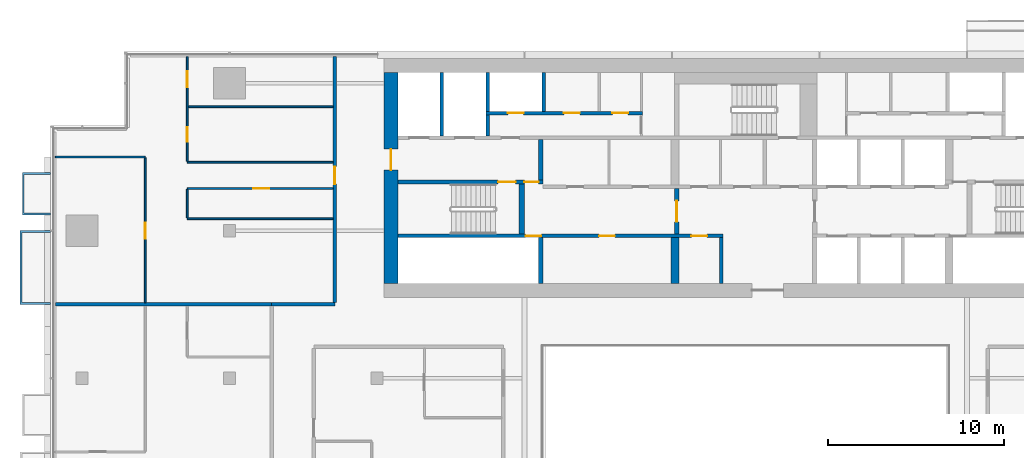
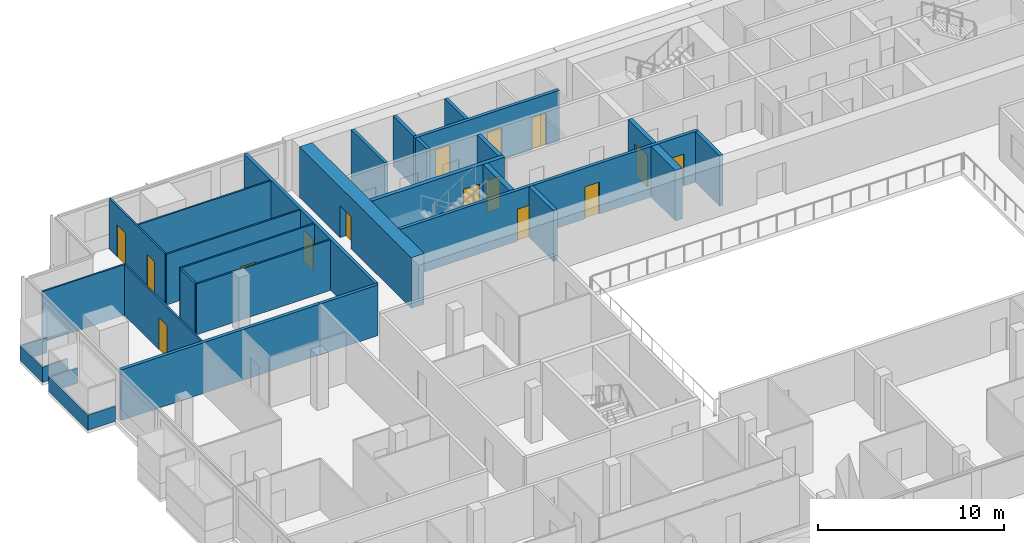
# One storey, part 21 of 31: 27 walls, 15 doors, 15 openings.
"""IFC4 building model written with IfcOpenShell, lengths in metres."""

from ifc_helpers import new_model, si_unit, direction, frame, frame_2d, origin, place, context, subcontext, project, spatial, polyline, rectangle, outline, extrude, material, layer, layer_set, type_object, element, fill, save


model = new_model("IFC4")

# Units and contexts
model_context = context("Model", 3, precision=1e-05, world=origin(), true_north=direction((0.0, 1.0)))
body_context = subcontext(model_context, "Body", "Model", "MODEL_VIEW")
ifc_project = project(units=[si_unit("LENGTHUNIT", "METRE"), si_unit("AREAUNIT", "SQUARE_METRE"), si_unit("VOLUMEUNIT", "CUBIC_METRE"), si_unit("PLANEANGLEUNIT", "RADIAN"), si_unit("MASSUNIT", "GRAM", prefix="KILO")], contexts=[model_context])

# Site, building, storey
site_placement = place(None, origin())
site = spatial("IfcSite", under=ifc_project, at=site_placement, CompositionType="ELEMENT")
building_placement = place(site_placement, origin())
building = spatial("IfcBuilding", under=site, at=building_placement, Name="Saffron Gate Tower", CompositionType="ELEMENT")
storey_placement = place(building_placement, frame((0.0, 0.0, 147.449951171875)))
storey = spatial("IfcBuildingStorey", under=building, at=storey_placement, Name="L35", CompositionType="ELEMENT", Elevation=147.449951171875)

# Wall
ifc_material_1 = material(Name="Gypsum board partition on steel studs", Category="steel")
ifc_layer_1 = layer(ifc_material_1, 0.199951171875)
ifc_layer_set_1 = layer_set([ifc_layer_1], Name="CW10 Core partition 200")
wall_type_1 = type_object("IfcWallType", Name="CW10 Core partition 200", PredefinedType="PARTITIONING", material=ifc_layer_set_1)
wall_1_placement = place(storey_placement, frame((86.199951171875, 62.39990234375, 0.0), z_axis=(0.0, 0.0, 1.0), x_axis=(0.0, 1.0, 0.0)))
element("IfcWall", 1, at=wall_1_placement, inside=storey, type_object=wall_type_1, Name="Wall CW10-L35-7", PredefinedType="PARTITIONING", context=body_context, shape_type="SweptSolid", body=[
    extrude(rectangle(XDim=2.60009765625, YDim=0.199951171875, at=frame_2d((1.300048828125, 0.0))), origin(), (0.0, 0.0, 1.0), 3.320068359375),
])

# Wall, opening, door
ifc_material_2 = material(Name="Concrete C60", Category="concrete")
ifc_layer_2 = layer(ifc_material_2, 0.800048828125)
ifc_layer_set_2 = layer_set([ifc_layer_2], Name="CW13 RC core wall 800 C60")
wall_type_2 = type_object("IfcWallType", Name="CW13 RC core wall 800 C60", PredefinedType="SOLIDWALL", material=ifc_layer_set_2)
wall_2_placement = place(storey_placement, frame((67.39990234375, 62.39990234375, 0.0), z_axis=(0.0, 0.0, 1.0), x_axis=(0.0, 1.0, 0.0)))
wall_2 = element("IfcWall", 2, at=wall_2_placement, inside=storey, type_object=wall_type_2, Name="Wall CW13-L35-3", PredefinedType="SOLIDWALL", context=body_context, shape_type="SweptSolid", body=[
    extrude(rectangle(XDim=12.0, YDim=0.800048828125, at=frame_2d((6.0, 0.0))), origin(), (0.0, 0.0, 1.0), 3.320068359375),
])
opening_1_placement = place(wall_2_placement, frame((6.449951171875, 0.0, 0.0)))
opening_1 = element("IfcOpeningElement", 3, at=opening_1_placement, cuts=wall_2, Name="Opening CR-10", PredefinedType="OPENING", context=body_context, shape_type="SweptSolid", body=[
    extrude(rectangle(XDim=1.199951171875, YDim=2.10009765625, at=frame_2d((0.60009765625, 1.050048828125))), frame((0.0, 0.41015625, 0.0), z_axis=(0.0, -1.0, 0.0), x_axis=(1.0, 0.0, 0.0)), (0.0, 0.0, 1.0), 0.820068359375),
])
ifc_material_3 = material(Name="Steel fire door set", Category="steel")
door_type_1 = type_object("IfcDoorType", Name="CD7 Core entrance door 1200x2100 EI 120", OperationType="NOTDEFINED", PredefinedType="DOOR", material=ifc_material_3)
door_1_placement = place(opening_1_placement, origin())
door_1 = element("IfcDoor", 4, at=door_1_placement, inside=storey, type_object=door_type_1, Name="DOOR CR-10", OperationType="SINGLE_SWING_LEFT", OverallHeight=2.10009765625, OverallWidth=1.199951171875, PredefinedType="DOOR", context=body_context, shape_type="SweptSolid", body=[
    extrude(rectangle(XDim=1.199951171875, YDim=2.10009765625, at=frame_2d((0.60009765625, 1.050048828125))), frame((0.0, 0.02490234375, 0.0), z_axis=(0.0, -1.0, 0.0), x_axis=(1.0, 0.0, 0.0)), (0.0, 0.0, 1.0), 0.050048828125),
])
fill(opening_1, door_1)

# Wall
ifc_layer_3 = layer(ifc_material_2, 0.25)
ifc_layer_set_3 = layer_set([ifc_layer_3], Name="CW14 RC core wall 250 C60")
wall_type_3 = type_object("IfcWallType", Name="CW14 RC core wall 250 C60", PredefinedType="SOLIDWALL", material=ifc_layer_set_3)
wall_3_placement = place(storey_placement, frame((75.925048828125, 62.39990234375, 0.0), z_axis=(0.0, 0.0, 1.0), x_axis=(0.0, 1.0, 0.0)))
element("IfcWall", 5, at=wall_3_placement, inside=storey, type_object=wall_type_3, Name="Wall CW14-L35-5", PredefinedType="SOLIDWALL", context=body_context, shape_type="SweptSolid", body=[
    extrude(rectangle(XDim=2.60009765625, YDim=0.25, at=frame_2d((1.300048828125, 0.0))), origin(), (0.0, 0.0, 1.0), 3.320068359375),
])

# Wall, opening, door
wall_4_placement = place(storey_placement, frame((83.675048828125, 65.199951171875, 0.0), z_axis=(0.0, 0.0, 1.0), x_axis=(0.0, 1.0, 0.0)))
wall_4 = element("IfcWall", 6, at=wall_4_placement, inside=storey, type_object=wall_type_3, Name="Wall CW14-L35-15", PredefinedType="SOLIDWALL", context=body_context, shape_type="SweptSolid", body=[
    extrude(rectangle(XDim=2.60009765625, YDim=0.25, at=frame_2d((1.300048828125, 0.0))), origin(), (0.0, 0.0, 1.0), 3.320068359375),
])
opening_2_placement = place(wall_4_placement, frame((0.699951171875, 0.0, 0.0)))
opening_2 = element("IfcOpeningElement", 7, at=opening_2_placement, cuts=wall_4, Name="Opening CR-07", PredefinedType="OPENING", context=body_context, shape_type="SweptSolid", body=[
    extrude(rectangle(XDim=1.199951171875, YDim=2.10009765625, at=frame_2d((0.60009765625, 1.050048828125))), frame((0.0, 0.135009765625, 0.0), z_axis=(0.0, -1.0, 0.0), x_axis=(1.0, 0.0, 0.0)), (0.0, 0.0, 1.0), 0.27001953125),
])
door_type_2 = type_object("IfcDoorType", Name="CD3 Lobby door 1200x2100 EI 120", OperationType="NOTDEFINED", PredefinedType="DOOR", material=ifc_material_3)
door_2_placement = place(opening_2_placement, origin())
door_2 = element("IfcDoor", 8, at=door_2_placement, inside=storey, type_object=door_type_2, Name="DOOR CR-07", OperationType="SINGLE_SWING_RIGHT", OverallHeight=2.10009765625, OverallWidth=1.199951171875, PredefinedType="DOOR", context=body_context, shape_type="SweptSolid", body=[
    extrude(rectangle(XDim=1.199951171875, YDim=2.10009765625, at=frame_2d((0.60009765625, 1.050048828125))), frame((0.0, 0.02490234375, 0.0), z_axis=(0.0, -1.0, 0.0), x_axis=(1.0, 0.0, 0.0)), (0.0, 0.0, 1.0), 0.050048828125),
])
fill(opening_2, door_2)

# Wall, openings, doors
wall_5_placement = place(storey_placement, frame((67.800048828125, 68.175048828125, 0.0), z_axis=(0.0, 0.0, 1.0), x_axis=(1.0, 0.0, 0.0)))
wall_5 = element("IfcWall", 9, at=wall_5_placement, inside=storey, type_object=wall_type_3, Name="Wall CW14-L35-27", PredefinedType="SOLIDWALL", context=body_context, shape_type="SweptSolid", body=[
    extrude(rectangle(XDim=8.25, YDim=0.25, at=frame_2d((4.125, 0.0))), origin(), (0.0, 0.0, 1.0), 3.320068359375),
])
opening_3_placement = place(wall_5_placement, frame((5.699951171875, 0.0, 0.0)))
opening_3 = element("IfcOpeningElement", 10, at=opening_3_placement, cuts=wall_5, Name="Opening CR-15", PredefinedType="OPENING", context=body_context, shape_type="SweptSolid", body=[
    extrude(rectangle(XDim=1.0, YDim=2.10009765625, at=frame_2d((0.5, 1.050048828125))), frame((0.0, 0.135009765625, 0.0), z_axis=(0.0, -1.0, 0.0), x_axis=(1.0, 0.0, 0.0)), (0.0, 0.0, 1.0), 0.27001953125),
])
opening_4_placement = place(wall_5_placement, frame((7.199951171875, 0.0, 0.0)))
opening_4 = element("IfcOpeningElement", 11, at=opening_4_placement, cuts=wall_5, Name="Opening CR-06", PredefinedType="OPENING", context=body_context, shape_type="SweptSolid", body=[
    extrude(rectangle(XDim=0.800048828125, YDim=2.10009765625, at=frame_2d((0.39990234375, 1.050048828125))), frame((0.0, 0.135009765625, 0.0), z_axis=(0.0, -1.0, 0.0), x_axis=(1.0, 0.0, 0.0)), (0.0, 0.0, 1.0), 0.27001953125),
])
door_type_3 = type_object("IfcDoorType", Name="CD5 Stair door 1000x2100 EI 120", OperationType="NOTDEFINED", PredefinedType="DOOR", material=ifc_material_3)
door_3_placement = place(opening_3_placement, origin())
door_3 = element("IfcDoor", 12, at=door_3_placement, inside=storey, type_object=door_type_3, Name="DOOR CR-15", OperationType="SINGLE_SWING_RIGHT", OverallHeight=2.10009765625, OverallWidth=1.0, PredefinedType="DOOR", context=body_context, shape_type="SweptSolid", body=[
    extrude(rectangle(XDim=1.0, YDim=2.10009765625, at=frame_2d((0.5, 1.050048828125))), frame((0.0, 0.02490234375, 0.0), z_axis=(0.0, -1.0, 0.0), x_axis=(1.0, 0.0, 0.0)), (0.0, 0.0, 1.0), 0.050048828125),
])
fill(opening_3, door_3)
door_type_4 = type_object("IfcDoorType", Name="CD6 Lobby door 800x2100 EI 120", OperationType="NOTDEFINED", PredefinedType="DOOR", material=ifc_material_3)
door_4_placement = place(opening_4_placement, origin())
door_4 = element("IfcDoor", 13, at=door_4_placement, inside=storey, type_object=door_type_4, Name="DOOR CR-06", OperationType="SINGLE_SWING_LEFT", OverallHeight=2.10009765625, OverallWidth=0.800048828125, PredefinedType="DOOR", context=body_context, shape_type="SweptSolid", body=[
    extrude(rectangle(XDim=0.800048828125, YDim=2.10009765625, at=frame_2d((0.39990234375, 1.050048828125))), frame((0.0, 0.02490234375, 0.0), z_axis=(0.0, -1.0, 0.0), x_axis=(1.0, 0.0, 0.0)), (0.0, 0.0, 1.0), 0.050048828125),
])
fill(opening_4, door_4)

# Wall
wall_6_placement = place(storey_placement, frame((75.925048828125, 68.300048828125, 0.0), z_axis=(0.0, 0.0, 1.0), x_axis=(0.0, 1.0, 0.0)))
element("IfcWall", 14, at=wall_6_placement, inside=storey, type_object=wall_type_3, Name="Wall CW14-L35-29", PredefinedType="SOLIDWALL", context=body_context, shape_type="SweptSolid", body=[
    extrude(rectangle(XDim=2.300048828125, YDim=0.25, at=frame_2d((1.14990234375, 0.0))), origin(), (0.0, 0.0, 1.0), 3.320068359375),
])

# Wall, openings, doors
ifc_layer_4 = layer(ifc_material_2, 0.199951171875)
ifc_layer_set_4 = layer_set([ifc_layer_4], Name="CW15 RC core wall 200 C60")
wall_type_4 = type_object("IfcWallType", Name="CW15 RC core wall 200 C60", PredefinedType="SOLIDWALL", material=ifc_layer_set_4)
wall_7_placement = place(storey_placement, frame((67.800048828125, 65.10009765625, 0.0), z_axis=(0.0, 0.0, 1.0), x_axis=(1.0, 0.0, 0.0)))
wall_7 = element("IfcWall", 15, at=wall_7_placement, inside=storey, type_object=wall_type_4, Name="Wall CW15-L35-12", PredefinedType="SOLIDWALL", context=body_context, shape_type="SweptSolid", body=[
    extrude(rectangle(XDim=18.5, YDim=0.199951171875, at=frame_2d((9.25, 0.0))), origin(), (0.0, 0.0, 1.0), 3.320068359375),
])
opening_5_placement = place(wall_7_placement, frame((7.27001953125, 0.0, 0.0)))
opening_5 = element("IfcOpeningElement", 16, at=opening_5_placement, cuts=wall_7, Name="Opening CR-49", PredefinedType="OPENING", context=body_context, shape_type="SweptSolid", body=[
    extrude(rectangle(XDim=0.89990234375, YDim=2.10009765625, at=frame_2d((0.449951171875, 1.050048828125))), frame((0.0, 0.10986328125, 0.0), z_axis=(0.0, -1.0, 0.0), x_axis=(1.0, 0.0, 0.0)), (0.0, 0.0, 1.0), 0.219970703125),
])
opening_6_placement = place(wall_7_placement, frame((11.449951171875, 0.0, 0.0)))
opening_6 = element("IfcOpeningElement", 17, at=opening_6_placement, cuts=wall_7, Name="Opening CR-64", PredefinedType="OPENING", context=body_context, shape_type="SweptSolid", body=[
    extrude(rectangle(XDim=0.89990234375, YDim=2.10009765625, at=frame_2d((0.449951171875, 1.050048828125))), frame((0.0, 0.10986328125, 0.0), z_axis=(0.0, -1.0, 0.0), x_axis=(1.0, 0.0, 0.0)), (0.0, 0.0, 1.0), 0.219970703125),
])
opening_7_placement = place(wall_7_placement, frame((16.699951171875, 0.0, 0.0)))
opening_7 = element("IfcOpeningElement", 18, at=opening_7_placement, cuts=wall_7, Name="Opening CR-69", PredefinedType="OPENING", context=body_context, shape_type="SweptSolid", body=[
    extrude(rectangle(XDim=0.89990234375, YDim=2.10009765625, at=frame_2d((0.449951171875, 1.050048828125))), frame((0.0, 0.10986328125, 0.0), z_axis=(0.0, -1.0, 0.0), x_axis=(1.0, 0.0, 0.0)), (0.0, 0.0, 1.0), 0.219970703125),
])
door_type_5 = type_object("IfcDoorType", Name="CD2 Riser door 900x2100 EI 60", OperationType="NOTDEFINED", PredefinedType="DOOR", material=ifc_material_3)
door_5_placement = place(opening_5_placement, origin())
door_5 = element("IfcDoor", 19, at=door_5_placement, inside=storey, type_object=door_type_5, Name="DOOR CR-49", OperationType="SINGLE_SWING_LEFT", OverallHeight=2.10009765625, OverallWidth=0.89990234375, PredefinedType="DOOR", context=body_context, shape_type="SweptSolid", body=[
    extrude(rectangle(XDim=0.89990234375, YDim=2.10009765625, at=frame_2d((0.449951171875, 1.050048828125))), frame((0.0, 0.02490234375, 0.0), z_axis=(0.0, -1.0, 0.0), x_axis=(1.0, 0.0, 0.0)), (0.0, 0.0, 1.0), 0.050048828125),
])
fill(opening_5, door_5)
door_type_6 = type_object("IfcDoorType", Name="CD9 Room door 900x2100 EI 60", OperationType="NOTDEFINED", PredefinedType="DOOR", material=ifc_material_3)
door_6_placement = place(opening_6_placement, origin())
door_6 = element("IfcDoor", 20, at=door_6_placement, inside=storey, type_object=door_type_6, Name="DOOR CR-64", OperationType="SINGLE_SWING_RIGHT", OverallHeight=2.10009765625, OverallWidth=0.89990234375, PredefinedType="DOOR", context=body_context, shape_type="SweptSolid", body=[
    extrude(rectangle(XDim=0.89990234375, YDim=2.10009765625, at=frame_2d((0.449951171875, 1.050048828125))), frame((0.0, 0.02490234375, 0.0), z_axis=(0.0, -1.0, 0.0), x_axis=(1.0, 0.0, 0.0)), (0.0, 0.0, 1.0), 0.050048828125),
])
fill(opening_6, door_6)
door_7_placement = place(opening_7_placement, origin())
door_7 = element("IfcDoor", 21, at=door_7_placement, inside=storey, type_object=door_type_6, Name="DOOR CR-69", OperationType="SINGLE_SWING_RIGHT", OverallHeight=2.10009765625, OverallWidth=0.89990234375, PredefinedType="DOOR", context=body_context, shape_type="SweptSolid", body=[
    extrude(rectangle(XDim=0.89990234375, YDim=2.10009765625, at=frame_2d((0.449951171875, 1.050048828125))), frame((0.0, 0.02490234375, 0.0), z_axis=(0.0, -1.0, 0.0), x_axis=(1.0, 0.0, 0.0)), (0.0, 0.0, 1.0), 0.050048828125),
])
fill(opening_7, door_7)

# Walls
wall_8_placement = place(storey_placement, frame((70.300048828125, 70.800048828125, 0.0), z_axis=(0.0, 0.0, 1.0), x_axis=(0.0, 1.0, 0.0)))
element("IfcWall", 22, at=wall_8_placement, inside=storey, type_object=wall_type_4, Name="Wall CW15-L35-32", PredefinedType="SOLIDWALL", context=body_context, shape_type="SweptSolid", body=[
    extrude(rectangle(XDim=3.599853515625, YDim=0.199951171875, at=frame_2d((1.7998046875, 0.0))), origin(), (0.0, 0.0, 1.0), 3.320068359375),
])
wall_9_placement = place(storey_placement, frame((72.89990234375, 70.800048828125, 0.0), z_axis=(0.0, 0.0, 1.0), x_axis=(0.0, 1.0, 0.0)))
element("IfcWall", 23, at=wall_9_placement, inside=storey, type_object=wall_type_4, Name="Wall CW15-L35-33", PredefinedType="SOLIDWALL", context=body_context, shape_type="SweptSolid", body=[
    extrude(rectangle(XDim=1.199951171875, YDim=0.199951171875, at=frame_2d((0.60009765625, 0.0))), origin(), (0.0, 0.0, 1.0), 3.320068359375),
])

# Wall, openings, doors
wall_10_placement = place(storey_placement, frame((72.800048828125, 72.10009765625, 0.0), z_axis=(0.0, 0.0, 1.0), x_axis=(1.0, 0.0, 0.0)))
wall_10 = element("IfcWall", 24, at=wall_10_placement, inside=storey, type_object=wall_type_4, Name="Wall CW15-L35-40", PredefinedType="SOLIDWALL", context=body_context, shape_type="SweptSolid", body=[
    extrude(rectangle(XDim=8.919921875, YDim=0.199951171875, at=frame_2d((4.4599609375, 0.0))), origin(), (0.0, 0.0, 1.0), 3.320068359375),
])
opening_8_placement = place(wall_10_placement, frame((1.25, 0.0, 0.0)))
opening_8 = element("IfcOpeningElement", 25, at=opening_8_placement, cuts=wall_10, Name="Opening CR-71", PredefinedType="OPENING", context=body_context, shape_type="SweptSolid", body=[
    extrude(rectangle(XDim=0.89990234375, YDim=2.10009765625, at=frame_2d((0.449951171875, 1.050048828125))), frame((0.0, 0.10986328125, 0.0), z_axis=(0.0, -1.0, 0.0), x_axis=(1.0, 0.0, 0.0)), (0.0, 0.0, 1.0), 0.219970703125),
])
opening_9_placement = place(wall_10_placement, frame((4.449951171875, 0.0, 0.0)))
opening_9 = element("IfcOpeningElement", 26, at=opening_9_placement, cuts=wall_10, Name="Opening CR-55", PredefinedType="OPENING", context=body_context, shape_type="SweptSolid", body=[
    extrude(rectangle(XDim=0.89990234375, YDim=2.10009765625, at=frame_2d((0.449951171875, 1.050048828125))), frame((0.0, 0.10986328125, 0.0), z_axis=(0.0, -1.0, 0.0), x_axis=(1.0, 0.0, 0.0)), (0.0, 0.0, 1.0), 0.219970703125),
])
opening_10_placement = place(wall_10_placement, frame((7.2099609375, 0.0, 0.0)))
opening_10 = element("IfcOpeningElement", 27, at=opening_10_placement, cuts=wall_10, Name="Opening CR-58", PredefinedType="OPENING", context=body_context, shape_type="SweptSolid", body=[
    extrude(rectangle(XDim=0.89990234375, YDim=2.10009765625, at=frame_2d((0.449951171875, 1.050048828125))), frame((0.0, 0.10986328125, 0.0), z_axis=(0.0, -1.0, 0.0), x_axis=(1.0, 0.0, 0.0)), (0.0, 0.0, 1.0), 0.219970703125),
])
door_8_placement = place(opening_8_placement, origin())
door_8 = element("IfcDoor", 28, at=door_8_placement, inside=storey, type_object=door_type_5, Name="DOOR CR-71", OperationType="SINGLE_SWING_LEFT", OverallHeight=2.10009765625, OverallWidth=0.89990234375, PredefinedType="DOOR", context=body_context, shape_type="SweptSolid", body=[
    extrude(rectangle(XDim=0.89990234375, YDim=2.10009765625, at=frame_2d((0.449951171875, 1.050048828125))), frame((0.0, 0.02490234375, 0.0), z_axis=(0.0, -1.0, 0.0), x_axis=(1.0, 0.0, 0.0)), (0.0, 0.0, 1.0), 0.050048828125),
])
fill(opening_8, door_8)
door_9_placement = place(opening_9_placement, origin())
door_9 = element("IfcDoor", 29, at=door_9_placement, inside=storey, type_object=door_type_6, Name="DOOR CR-55", OperationType="SINGLE_SWING_LEFT", OverallHeight=2.10009765625, OverallWidth=0.89990234375, PredefinedType="DOOR", context=body_context, shape_type="SweptSolid", body=[
    extrude(rectangle(XDim=0.89990234375, YDim=2.10009765625, at=frame_2d((0.449951171875, 1.050048828125))), frame((0.0, 0.02490234375, 0.0), z_axis=(0.0, -1.0, 0.0), x_axis=(1.0, 0.0, 0.0)), (0.0, 0.0, 1.0), 0.050048828125),
])
fill(opening_9, door_9)
door_10_placement = place(opening_10_placement, origin())
door_10 = element("IfcDoor", 30, at=door_10_placement, inside=storey, type_object=door_type_6, Name="DOOR CR-58", OperationType="SINGLE_SWING_LEFT", OverallHeight=2.10009765625, OverallWidth=0.89990234375, PredefinedType="DOOR", context=body_context, shape_type="SweptSolid", body=[
    extrude(rectangle(XDim=0.89990234375, YDim=2.10009765625, at=frame_2d((0.449951171875, 1.050048828125))), frame((0.0, 0.02490234375, 0.0), z_axis=(0.0, -1.0, 0.0), x_axis=(1.0, 0.0, 0.0)), (0.0, 0.0, 1.0), 0.050048828125),
])
fill(opening_10, door_10)

# Walls
for number, where, z_axis, x_axis, name in (
    (31, (72.89990234375, 72.199951171875, 0.0), (0.0, 0.0, 1.0), (0.0, 1.0, 0.0), "Wall CW15-L35-42"),
    (32, (76.10009765625, 72.199951171875, 0.0), (0.0, 0.0, 1.0), (0.0, 1.0, 0.0), "Wall CW15-L35-43"),
):
    element("IfcWall", number, at=place(storey_placement, frame(where, z_axis=z_axis, x_axis=x_axis)), inside=storey, type_object=wall_type_4, Name=name, PredefinedType="SOLIDWALL", context=body_context, shape_type="SweptSolid", body=[
        extrude(rectangle(XDim=2.199951171875, YDim=0.199951171875, at=frame_2d((1.10009765625, 0.0))), origin(), (0.0, 0.0, 1.0), 3.320068359375),
    ])
ifc_layer_5 = layer(ifc_material_2, 0.449951171875)
ifc_layer_set_5 = layer_set([ifc_layer_5], Name="CW16 RC core wall 450 C60")
wall_type_5 = type_object("IfcWallType", Name="CW16 RC core wall 450 C60", PredefinedType="SOLIDWALL", material=ifc_layer_set_5)
wall_11_placement = place(storey_placement, frame((83.574951171875, 62.39990234375, 0.0), z_axis=(0.0, 0.0, 1.0), x_axis=(0.0, 1.0, 0.0)))
element("IfcWall", 33, at=wall_11_placement, inside=storey, type_object=wall_type_5, Name="Wall CW16-L35-6", PredefinedType="SOLIDWALL", context=body_context, shape_type="SweptSolid", body=[
    extrude(rectangle(XDim=2.60009765625, YDim=0.449951171875, at=frame_2d((1.300048828125, 0.0))), origin(), (0.0, 0.0, 1.0), 3.320068359375),
])
ifc_layer_6 = layer(ifc_material_2, 0.300048828125)
ifc_layer_set_6 = layer_set([ifc_layer_6], Name="CW17 RC core wall 300 C60")
wall_type_6 = type_object("IfcWallType", Name="CW17 RC core wall 300 C60", PredefinedType="SOLIDWALL", material=ifc_layer_set_6)
wall_12_placement = place(storey_placement, frame((74.85009765625, 65.199951171875, 0.0), z_axis=(0.0, 0.0, 1.0), x_axis=(0.0, 1.0, 0.0)))
element("IfcWall", 34, at=wall_12_placement, inside=storey, type_object=wall_type_6, Name="Wall CW17-L35-14", PredefinedType="SOLIDWALL", context=body_context, shape_type="SweptSolid", body=[
    extrude(rectangle(XDim=2.85009765625, YDim=0.300048828125, at=frame_2d((1.425048828125, 0.0))), origin(), (0.0, 0.0, 1.0), 3.320068359375),
])
ifc_material_4 = material(Name="Plasterboard on steel studs", Category="steel")
ifc_layer_7 = layer(ifc_material_4, 0.10009765625)
ifc_layer_set_7 = layer_set([ifc_layer_7], Name="PW1 Partition 100")
wall_type_7 = type_object("IfcWallType", Name="PW1 Partition 100", PredefinedType="PARTITIONING", material=ifc_layer_set_7)
wall_13_placement = place(storey_placement, frame((55.800048828125, 66.0810546875, 0.0), z_axis=(0.0, 0.0, 1.0), x_axis=(1.0, 0.0, 0.0)))
element("IfcWall", 35, at=wall_13_placement, inside=storey, type_object=wall_type_7, Name="Partition C1-48", PredefinedType="PARTITIONING", context=body_context, shape_type="SweptSolid", body=[
    extrude(rectangle(XDim=8.300048828125, YDim=0.10009765625, at=frame_2d((4.14990234375, 0.0))), origin(), (0.0, 0.0, 1.0), 3.320068359375),
])

# Wall, opening, door
wall_14_placement = place(storey_placement, frame((64.10009765625, 67.800048828125, 0.0), z_axis=(0.0, 0.0, 1.0), x_axis=(-1.0, 0.0, 0.0)))
wall_14 = element("IfcWall", 36, at=wall_14_placement, inside=storey, type_object=wall_type_7, Name="Partition C1-50", PredefinedType="PARTITIONING", context=body_context, shape_type="SweptSolid", body=[
    extrude(rectangle(XDim=8.300048828125, YDim=0.10009765625, at=frame_2d((4.14990234375, 0.0))), origin(), (0.0, 0.0, 1.0), 3.320068359375),
])
opening_11_placement = place(wall_14_placement, frame((3.64990234375, 0.0, 0.0)))
opening_11 = element("IfcOpeningElement", 37, at=opening_11_placement, cuts=wall_14, Name="Opening C1-29", PredefinedType="OPENING", context=body_context, shape_type="SweptSolid", body=[
    extrude(rectangle(XDim=0.89990234375, YDim=2.10009765625, at=frame_2d((0.449951171875, 1.050048828125))), frame((0.0, 0.06005859375, 0.0), z_axis=(0.0, -1.0, 0.0), x_axis=(1.0, 0.0, 0.0)), (0.0, 0.0, 1.0), 0.1201171875),
])
ifc_material_5 = material(Name="Timber door set", Category="wood")
door_type_7 = type_object("IfcDoorType", Name="RD1 Room door 900x2100", OperationType="NOTDEFINED", PredefinedType="DOOR", material=ifc_material_5)
door_11_placement = place(opening_11_placement, origin())
door_11 = element("IfcDoor", 38, at=door_11_placement, inside=storey, type_object=door_type_7, Name="Door C1-29", OperationType="SINGLE_SWING_LEFT", OverallHeight=2.10009765625, OverallWidth=0.89990234375, PredefinedType="DOOR", context=body_context, shape_type="SweptSolid", body=[
    extrude(rectangle(XDim=0.89990234375, YDim=2.10009765625, at=frame_2d((0.449951171875, 1.050048828125))), frame((0.0, 0.02490234375, 0.0), z_axis=(0.0, -1.0, 0.0), x_axis=(1.0, 0.0, 0.0)), (0.0, 0.0, 1.0), 0.050048828125),
])
fill(opening_11, door_11)

# Walls
wall_15_placement = place(storey_placement, frame((55.800048828125, 69.300048828125, 0.0), z_axis=(0.0, 0.0, 1.0), x_axis=(1.0, 0.0, 0.0)))
element("IfcWall", 39, at=wall_15_placement, inside=storey, type_object=wall_type_7, Name="Partition C1-51", PredefinedType="PARTITIONING", context=body_context, shape_type="SweptSolid", body=[
    extrude(rectangle(XDim=8.300048828125, YDim=0.10009765625, at=frame_2d((4.14990234375, 0.0))), origin(), (0.0, 0.0, 1.0), 3.320068359375),
])
wall_16_placement = place(storey_placement, frame((48.280029296875, 69.60009765625, 0.0), z_axis=(0.0, 0.0, 1.0), x_axis=(1.0, 0.0, 0.0)))
element("IfcWall", 40, at=wall_16_placement, inside=storey, type_object=wall_type_7, Name="Partition C1-52", PredefinedType="PARTITIONING", context=body_context, shape_type="SweptSolid", body=[
    extrude(rectangle(XDim=5.119873046875, YDim=0.10009765625, at=frame_2d((2.56005859375, 0.0))), origin(), (0.0, 0.0, 1.0), 3.320068359375),
])
wall_17_placement = place(storey_placement, frame((55.85009765625, 72.454833984375, 0.0), z_axis=(0.0, 0.0, 1.0), x_axis=(1.0, 0.0, 0.0)))
element("IfcWall", 41, at=wall_17_placement, inside=storey, type_object=wall_type_7, Name="Partition C1-56", PredefinedType="PARTITIONING", context=body_context, shape_type="SweptSolid", body=[
    extrude(rectangle(XDim=8.25, YDim=0.10009765625, at=frame_2d((4.125, 0.0))), origin(), (0.0, 0.0, 1.0), 3.320068359375),
])
wall_18_placement = place(storey_placement, frame((55.800048828125, 67.75, 0.0), z_axis=(0.0, 0.0, 1.0), x_axis=(0.0, -1.0, 0.0)))
element("IfcWall", 42, at=wall_18_placement, inside=storey, type_object=wall_type_7, Name="Partition C1-62", PredefinedType="PARTITIONING", context=body_context, shape_type="SweptSolid", body=[
    extrude(rectangle(XDim=1.618896484375, YDim=0.10009765625, at=frame_2d((0.8095703125, 0.0))), origin(), (0.0, 0.0, 1.0), 3.320068359375),
])

# Wall, openings, doors
wall_19_placement = place(storey_placement, frame((55.800048828125, 75.320068359375, 0.0), z_axis=(0.0, 0.0, 1.0), x_axis=(0.0, -1.0, 0.0)))
wall_19 = element("IfcWall", 43, at=wall_19_placement, inside=storey, type_object=wall_type_7, Name="Partition C1-63", PredefinedType="PARTITIONING", context=body_context, shape_type="SweptSolid", body=[
    extrude(rectangle(XDim=5.969970703125, YDim=0.10009765625, at=frame_2d((2.98486328125, 0.0))), origin(), (0.0, 0.0, 1.0), 3.320068359375),
])
opening_12_placement = place(wall_19_placement, frame((0.842529296875, 0.0, 0.0)))
opening_12 = element("IfcOpeningElement", 44, at=opening_12_placement, cuts=wall_19, Name="Opening C1-30", PredefinedType="OPENING", context=body_context, shape_type="SweptSolid", body=[
    extrude(rectangle(XDim=0.89990234375, YDim=2.10009765625, at=frame_2d((0.449951171875, 1.050048828125))), frame((0.0, 0.06005859375, 0.0), z_axis=(0.0, -1.0, 0.0), x_axis=(1.0, 0.0, 0.0)), (0.0, 0.0, 1.0), 0.1201171875),
])
opening_13_placement = place(wall_19_placement, frame((4.04248046875, 0.0, 0.0)))
opening_13 = element("IfcOpeningElement", 45, at=opening_13_placement, cuts=wall_19, Name="Opening C1-48", PredefinedType="OPENING", context=body_context, shape_type="SweptSolid", body=[
    extrude(rectangle(XDim=0.800048828125, YDim=2.10009765625, at=frame_2d((0.39990234375, 1.050048828125))), frame((0.0, 0.06005859375, 0.0), z_axis=(0.0, -1.0, 0.0), x_axis=(1.0, 0.0, 0.0)), (0.0, 0.0, 1.0), 0.1201171875),
])
door_12_placement = place(opening_12_placement, origin())
door_12 = element("IfcDoor", 46, at=door_12_placement, inside=storey, type_object=door_type_7, Name="Door C1-30", OperationType="SINGLE_SWING_LEFT", OverallHeight=2.10009765625, OverallWidth=0.89990234375, PredefinedType="DOOR", context=body_context, shape_type="SweptSolid", body=[
    extrude(rectangle(XDim=0.89990234375, YDim=2.10009765625, at=frame_2d((0.449951171875, 1.050048828125))), frame((0.0, 0.02490234375, 0.0), z_axis=(0.0, -1.0, 0.0), x_axis=(1.0, 0.0, 0.0)), (0.0, 0.0, 1.0), 0.050048828125),
])
fill(opening_12, door_12)
door_type_8 = type_object("IfcDoorType", Name="RD2 Bathroom door 800x2100", OperationType="NOTDEFINED", PredefinedType="DOOR", material=ifc_material_5)
door_13_placement = place(opening_13_placement, origin())
door_13 = element("IfcDoor", 47, at=door_13_placement, inside=storey, type_object=door_type_8, Name="Door C1-48", OperationType="SINGLE_SWING_RIGHT", OverallHeight=2.10009765625, OverallWidth=0.800048828125, PredefinedType="DOOR", context=body_context, shape_type="SweptSolid", body=[
    extrude(rectangle(XDim=0.800048828125, YDim=2.10009765625, at=frame_2d((0.39990234375, 1.050048828125))), frame((0.0, 0.02490234375, 0.0), z_axis=(0.0, -1.0, 0.0), x_axis=(1.0, 0.0, 0.0)), (0.0, 0.0, 1.0), 0.050048828125),
])
fill(opening_13, door_13)

# Wall, opening, door
wall_20_placement = place(storey_placement, frame((53.39990234375, 61.300048828125, 0.0), z_axis=(0.0, 0.0, 1.0), x_axis=(0.0, 1.0, 0.0)))
wall_20 = element("IfcWall", 48, at=wall_20_placement, inside=storey, type_object=wall_type_7, Name="Partition C1-121", PredefinedType="PARTITIONING", context=body_context, shape_type="SweptSolid", body=[
    extrude(rectangle(XDim=8.25, YDim=0.10009765625, at=frame_2d((4.125, 0.0))), origin(), (0.0, 0.0, 1.0), 3.320068359375),
])
opening_14_placement = place(wall_20_placement, frame((3.64990234375, 0.0, 0.0)))
opening_14 = element("IfcOpeningElement", 49, at=opening_14_placement, cuts=wall_20, Name="Opening C1-28", PredefinedType="OPENING", context=body_context, shape_type="SweptSolid", body=[
    extrude(rectangle(XDim=0.89990234375, YDim=2.10009765625, at=frame_2d((0.449951171875, 1.050048828125))), frame((0.0, 0.06005859375, 0.0), z_axis=(0.0, -1.0, 0.0), x_axis=(1.0, 0.0, 0.0)), (0.0, 0.0, 1.0), 0.1201171875),
])
door_14_placement = place(opening_14_placement, origin())
door_14 = element("IfcDoor", 50, at=door_14_placement, inside=storey, type_object=door_type_7, Name="Door C1-28", OperationType="SINGLE_SWING_LEFT", OverallHeight=2.10009765625, OverallWidth=0.89990234375, PredefinedType="DOOR", context=body_context, shape_type="SweptSolid", body=[
    extrude(rectangle(XDim=0.89990234375, YDim=2.10009765625, at=frame_2d((0.449951171875, 1.050048828125))), frame((0.0, 0.02490234375, 0.0), z_axis=(0.0, -1.0, 0.0), x_axis=(1.0, 0.0, 0.0)), (0.0, 0.0, 1.0), 0.050048828125),
])
fill(opening_14, door_14)

# Walls
ifc_material_6 = material(Name="Clay brick masonry, rendered", Category="masonry")
ifc_layer_8 = layer(ifc_material_6, 0.199951171875)
ifc_layer_set_8 = layer_set([ifc_layer_8], Name="PW2 Demising wall 200")
wall_type_8 = type_object("IfcWallType", Name="PW2 Demising wall 200", PredefinedType="PARTITIONING", material=ifc_layer_set_8)
wall_21_placement = place(storey_placement, frame((48.280029296875, 61.199951171875, 0.0), z_axis=(0.0, 0.0, 1.0), x_axis=(1.0, 0.0, 0.0)))
element("IfcWall", 51, at=wall_21_placement, inside=storey, type_object=wall_type_8, Name="Wall C1-44", PredefinedType="PARTITIONING", context=body_context, shape_type="SweptSolid", body=[
    extrude(rectangle(XDim=12.320068359375, YDim=0.199951171875, at=frame_2d((6.16015625, 0.0))), origin(), (0.0, 0.0, 1.0), 3.320068359375),
])
ifc_layer_9 = layer(ifc_material_6, 0.199951171875)
ifc_layer_set_9 = layer_set([ifc_layer_9], Name="PW3 Corridor wall 200")
wall_type_9 = type_object("IfcWallType", Name="PW3 Corridor wall 200", PredefinedType="PARTITIONING", material=ifc_layer_set_9)
wall_22_placement = place(storey_placement, frame((60.60009765625, 61.199951171875, 0.0), z_axis=(0.0, 0.0, 1.0), x_axis=(1.0, 0.0, 0.0)))
element("IfcWall", 52, at=wall_22_placement, inside=storey, type_object=wall_type_9, Name="Wall C1-42", PredefinedType="PARTITIONING", context=body_context, shape_type="SweptSolid", body=[
    extrude(rectangle(XDim=3.599853515625, YDim=0.199951171875, at=frame_2d((1.7998046875, 0.0))), origin(), (0.0, 0.0, 1.0), 3.320068359375),
])

# Wall, opening, door
wall_23_placement = place(storey_placement, frame((64.199951171875, 61.300048828125, 0.0), z_axis=(0.0, 0.0, 1.0), x_axis=(0.0, 1.0, 0.0)))
wall_23 = element("IfcWall", 53, at=wall_23_placement, inside=storey, type_object=wall_type_9, Name="Wall C1-70", PredefinedType="PARTITIONING", context=body_context, shape_type="SweptSolid", body=[
    extrude(rectangle(XDim=14.02001953125, YDim=0.199951171875, at=frame_2d((7.010009765625, 0.0))), origin(), (0.0, 0.0, 1.0), 3.320068359375),
])
opening_15_placement = place(wall_23_placement, frame((6.75, 0.0, 0.0)))
opening_15 = element("IfcOpeningElement", 54, at=opening_15_placement, cuts=wall_23, Name="Opening C1-6", PredefinedType="OPENING", context=body_context, shape_type="SweptSolid", body=[
    extrude(rectangle(XDim=1.0, YDim=2.10009765625, at=frame_2d((0.5, 1.050048828125))), frame((0.0, 0.10986328125, 0.0), z_axis=(0.0, -1.0, 0.0), x_axis=(1.0, 0.0, 0.0)), (0.0, 0.0, 1.0), 0.219970703125),
])
ifc_material_7 = material(Name="Timber fire door set", Category="wood")
door_type_9 = type_object("IfcDoorType", Name="FD1 Flat entry door 1000x2100", OperationType="NOTDEFINED", PredefinedType="DOOR", material=ifc_material_7)
door_15_placement = place(opening_15_placement, origin())
door_15 = element("IfcDoor", 55, at=door_15_placement, inside=storey, type_object=door_type_9, Name="Door C1-6", OperationType="SINGLE_SWING_LEFT", OverallHeight=2.10009765625, OverallWidth=1.0, PredefinedType="DOOR", context=body_context, shape_type="SweptSolid", body=[
    extrude(rectangle(XDim=1.0, YDim=2.10009765625, at=frame_2d((0.5, 1.050048828125))), frame((0.0, 0.02490234375, 0.0), z_axis=(0.0, -1.0, 0.0), x_axis=(1.0, 0.0, 0.0)), (0.0, 0.0, 1.0), 0.050048828125),
])
fill(opening_15, door_15)

# Walls
ifc_material_8 = material(Name="Rendered insulated panel, white")
ifc_layer_10 = layer(ifc_material_8, 0.10009765625)
ifc_layer_set_10 = layer_set([ifc_layer_10], Name="WB3 box parapet white")
wall_type_10 = type_object("IfcWallType", Name="WB3 box parapet white", PredefinedType="SOLIDWALL", material=ifc_layer_set_10)
wall_24_placement = place(storey_placement, origin())
element("IfcWall", 56, at=wall_24_placement, inside=storey, type_object=wall_type_10, Name="WINDOW BOX parapet", PredefinedType="SOLIDWALL", context=body_context, shape_type="SweptSolid", body=[
    extrude(outline(polyline([(48.0, 68.699951171875), (48.0, 68.60009765625), (46.5, 68.60009765625), (46.5, 66.39990234375), (48.0, 66.39990234375), (48.0, 66.300048828125), (46.39990234375, 66.300048828125), (46.39990234375, 68.699951171875), (48.0, 68.699951171875)])), origin(), (0.0, 0.0, 1.0), 1.0),
])
wall_25_placement = place(storey_placement, origin())
element("IfcWall", 57, at=wall_25_placement, inside=storey, type_object=wall_type_10, Name="WINDOW BOX parapet", PredefinedType="SOLIDWALL", context=body_context, shape_type="SweptSolid", body=[
    extrude(outline(polyline([(48.0, 65.39990234375), (48.0, 65.300048828125), (46.366943359375, 65.300048828125), (46.366943359375, 61.300048828125), (48.0, 61.300048828125), (48.0, 61.199951171875), (46.26708984375, 61.199951171875), (46.26708984375, 65.39990234375), (48.0, 65.39990234375)])), origin(), (0.0, 0.0, 1.0), 1.0),
])

save(model, "model.ifc")
